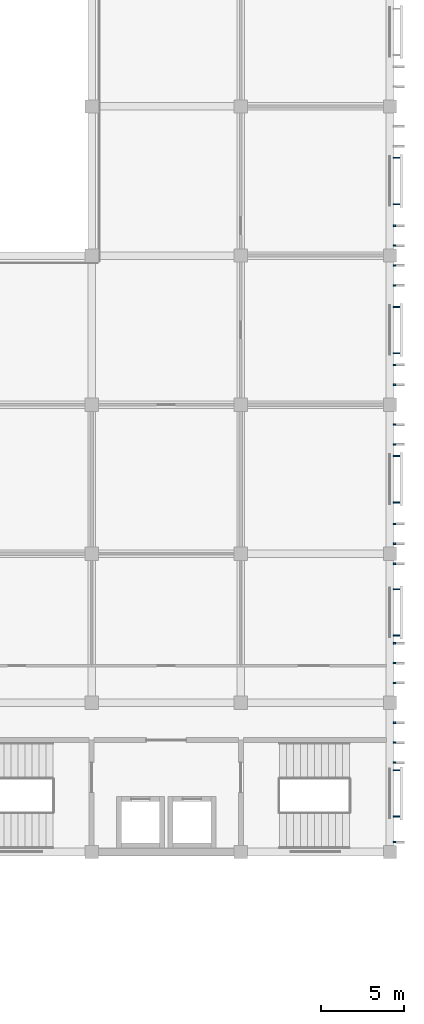
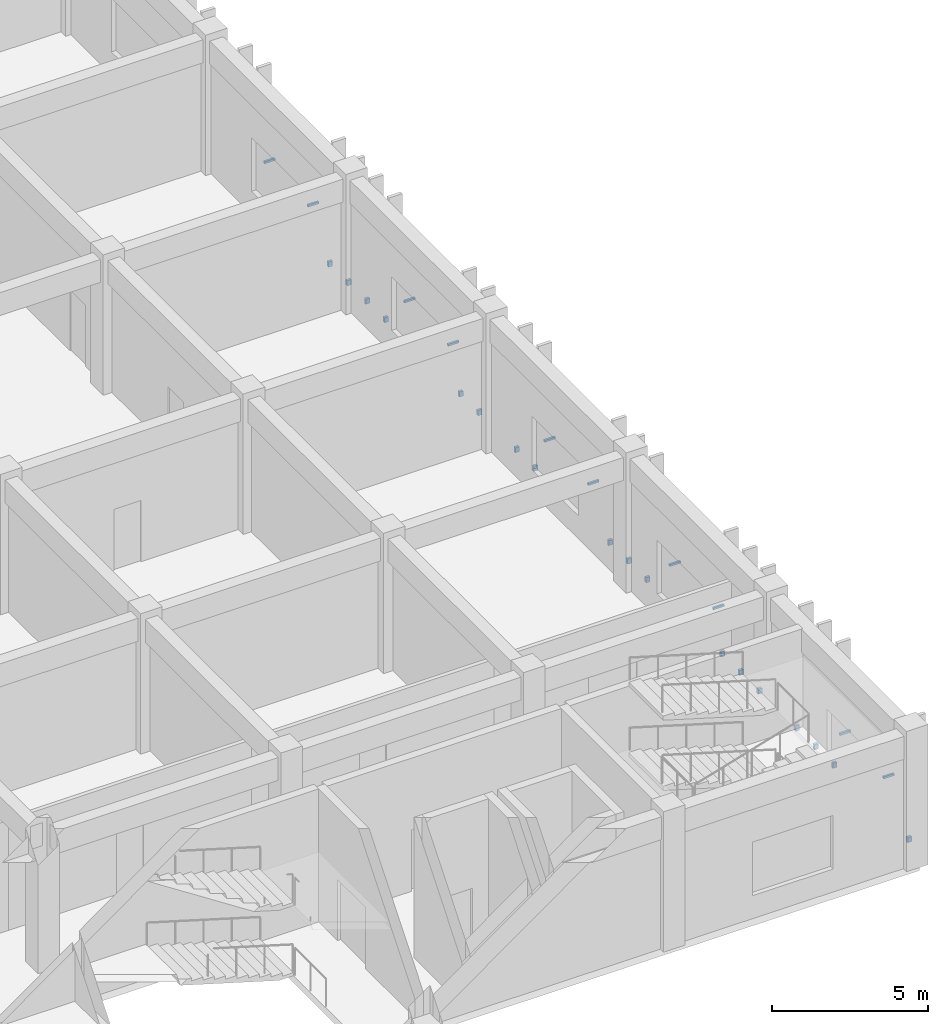
# One storey, part 400 of 437: 28 discrete accessories.
"""IFC4 building model written with IfcOpenShell, lengths in metres."""

from ifc_helpers import new_model, si_unit, direction, frame, origin, origin_2d, place, context, subcontext, project, spatial, rectangle, extrude, material, type_object, element, save


model = new_model("IFC4")

# Units and contexts
model_context = context("Model", 3, precision=1e-05, world=origin(), true_north=direction((0.0, 1.0)))
body_context = subcontext(model_context, "Body", "Model", "MODEL_VIEW")
ifc_project = project(units=[si_unit("LENGTHUNIT", "METRE"), si_unit("AREAUNIT", "SQUARE_METRE"), si_unit("VOLUMEUNIT", "CUBIC_METRE"), si_unit("PLANEANGLEUNIT", "RADIAN"), si_unit("MASSUNIT", "GRAM", prefix="KILO")], contexts=[model_context])

# Site, building, storey
site_placement = place(None, origin())
site = spatial("IfcSite", under=ifc_project, at=site_placement, CompositionType="ELEMENT")
building_placement = place(site_placement, origin())
building = spatial("IfcBuilding", under=site, at=building_placement, Name="Opaline Strait Convention Centre", CompositionType="ELEMENT")
storey_placement = place(building_placement, frame((0.0, 0.0, 11.5)))
storey = spatial("IfcBuildingStorey", under=building, at=storey_placement, Name="L02", CompositionType="ELEMENT", Elevation=11.5)

# Discrete accessories
ifc_material = material(Name="Stainless steel 304", Category="steel")
discrete_accessory_type_1 = type_object("IfcDiscreteAccessoryType", Name="Fin bracket 150 stainless steel", PredefinedType="BRACKET", material=ifc_material)
for number, where, z_axis, x_axis, name in (
    (1, (360.27490234375, 90.60009765625, 0.35009765625), (0.0, 0.0, 1.0), (1.0, 0.0, 0.0), "Fin bracket"),
    (2, (360.27490234375, 95.39990234375, 0.35009765625), (0.0, 0.0, 1.0), (1.0, 0.0, 0.0), "Fin bracket"),
    (3, (360.27490234375, 96.60009765625, 0.35009765625), (0.0, 0.0, 1.0), (1.0, 0.0, 0.0), "Fin bracket"),
    (4, (360.27490234375, 97.800048828125, 0.35009765625), (0.0, 0.0, 1.0), (1.0, 0.0, 0.0), "Fin bracket"),
    (5, (360.27490234375, 100.199951171875, 0.35009765625), (0.0, 0.0, 1.0), (1.0, 0.0, 0.0), "Fin bracket"),
    (6, (360.27490234375, 101.39990234375, 0.35009765625), (0.0, 0.0, 1.0), (1.0, 0.0, 0.0), "Fin bracket"),
    (7, (360.27490234375, 102.60009765625, 0.35009765625), (0.0, 0.0, 1.0), (1.0, 0.0, 0.0), "Fin bracket"),
    (8, (360.27490234375, 107.39990234375, 0.35009765625), (0.0, 0.0, 1.0), (1.0, 0.0, 0.0), "Fin bracket"),
    (9, (360.27490234375, 108.60009765625, 0.35009765625), (0.0, 0.0, 1.0), (1.0, 0.0, 0.0), "Fin bracket"),
    (10, (360.27490234375, 109.800048828125, 0.35009765625), (0.0, 0.0, 1.0), (1.0, 0.0, 0.0), "Fin bracket"),
    (11, (360.27490234375, 114.60009765625, 0.35009765625), (0.0, 0.0, 1.0), (1.0, 0.0, 0.0), "Fin bracket"),
    (12, (360.27490234375, 115.800048828125, 0.35009765625), (0.0, 0.0, 1.0), (1.0, 0.0, 0.0), "Fin bracket"),
    (13, (360.27490234375, 118.199951171875, 0.35009765625), (0.0, 0.0, 1.0), (1.0, 0.0, 0.0), "Fin bracket"),
    (14, (360.27490234375, 119.39990234375, 0.35009765625), (0.0, 0.0, 1.0), (1.0, 0.0, 0.0), "Fin bracket"),
    (15, (360.27490234375, 124.199951171875, 0.35009765625), (0.0, 0.0, 1.0), (1.0, 0.0, 0.0), "Fin bracket"),
    (16, (360.27490234375, 125.39990234375, 0.35009765625), (0.0, 0.0, 1.0), (1.0, 0.0, 0.0), "Fin bracket"),
    (17, (360.27490234375, 126.60009765625, 0.35009765625), (0.0, 0.0, 1.0), (1.0, 0.0, 0.0), "Fin bracket"),
    (18, (360.27490234375, 127.800048828125, 0.35009765625), (0.0, 0.0, 1.0), (1.0, 0.0, 0.0), "Fin bracket"),
):
    element("IfcDiscreteAccessory", number, at=place(storey_placement, frame(where, z_axis=z_axis, x_axis=x_axis)), inside=storey, type_object=discrete_accessory_type_1, Name=name, PredefinedType="BRACKET", context=body_context, shape_type="SweptSolid", body=[
        extrude(rectangle(XDim=0.14990234375, YDim=0.10009765625, at=origin_2d()), origin(), (0.0, 0.0, 1.0), 0.199951171875),
    ])
discrete_accessory_type_2 = type_object("IfcDiscreteAccessoryType", Name="Louvre bracket 400 stainless steel", PredefinedType="BRACKET", material=ifc_material)
for number, where, z_axis, x_axis, name in (
    (19, (360.39990234375, 92.137451171875, 1.909912109375), (0.0, 0.0, 1.0), (1.0, 0.0, 0.0), "Louvre bracket"),
    (20, (360.39990234375, 94.9375, 1.909912109375), (0.0, 0.0, 1.0), (1.0, 0.0, 0.0), "Louvre bracket"),
    (21, (360.39990234375, 103.0625, 1.909912109375), (0.0, 0.0, 1.0), (1.0, 0.0, 0.0), "Louvre bracket"),
    (22, (360.39990234375, 105.862548828125, 1.909912109375), (0.0, 0.0, 1.0), (1.0, 0.0, 0.0), "Louvre bracket"),
    (23, (360.39990234375, 111.10009765625, 1.909912109375), (0.0, 0.0, 1.0), (1.0, 0.0, 0.0), "Louvre bracket"),
    (24, (360.39990234375, 113.89990234375, 1.909912109375), (0.0, 0.0, 1.0), (1.0, 0.0, 0.0), "Louvre bracket"),
    (25, (360.39990234375, 120.10009765625, 1.909912109375), (0.0, 0.0, 1.0), (1.0, 0.0, 0.0), "Louvre bracket"),
    (26, (360.39990234375, 122.89990234375, 1.909912109375), (0.0, 0.0, 1.0), (1.0, 0.0, 0.0), "Louvre bracket"),
    (27, (360.39990234375, 129.10009765625, 1.909912109375), (0.0, 0.0, 1.0), (1.0, 0.0, 0.0), "Louvre bracket"),
    (28, (360.39990234375, 131.89990234375, 1.909912109375), (0.0, 0.0, 1.0), (1.0, 0.0, 0.0), "Louvre bracket"),
):
    element("IfcDiscreteAccessory", number, at=place(storey_placement, frame(where, z_axis=z_axis, x_axis=x_axis)), inside=storey, type_object=discrete_accessory_type_2, Name=name, PredefinedType="BRACKET", context=body_context, shape_type="SweptSolid", body=[
        extrude(rectangle(XDim=0.39990234375, YDim=0.080078125, at=origin_2d()), origin(), (0.0, 0.0, 1.0), 0.080078125),
    ])

save(model, "model.ifc")
